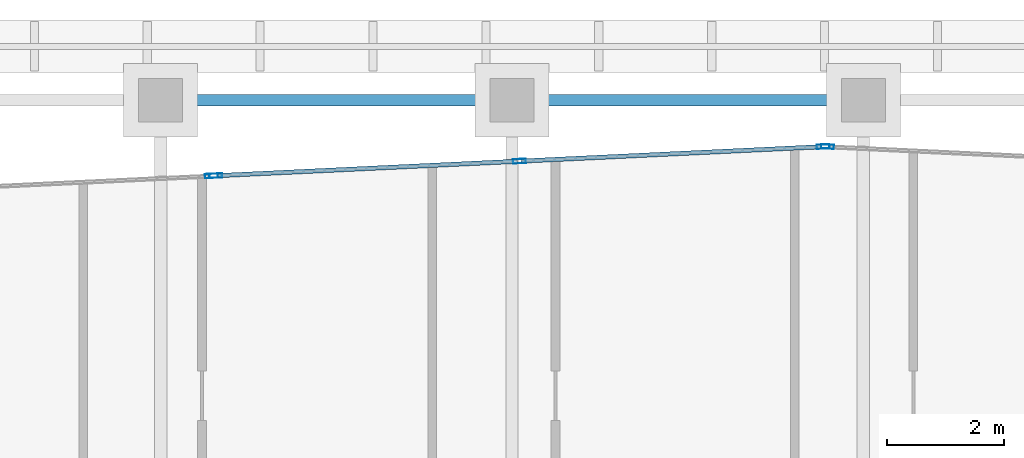
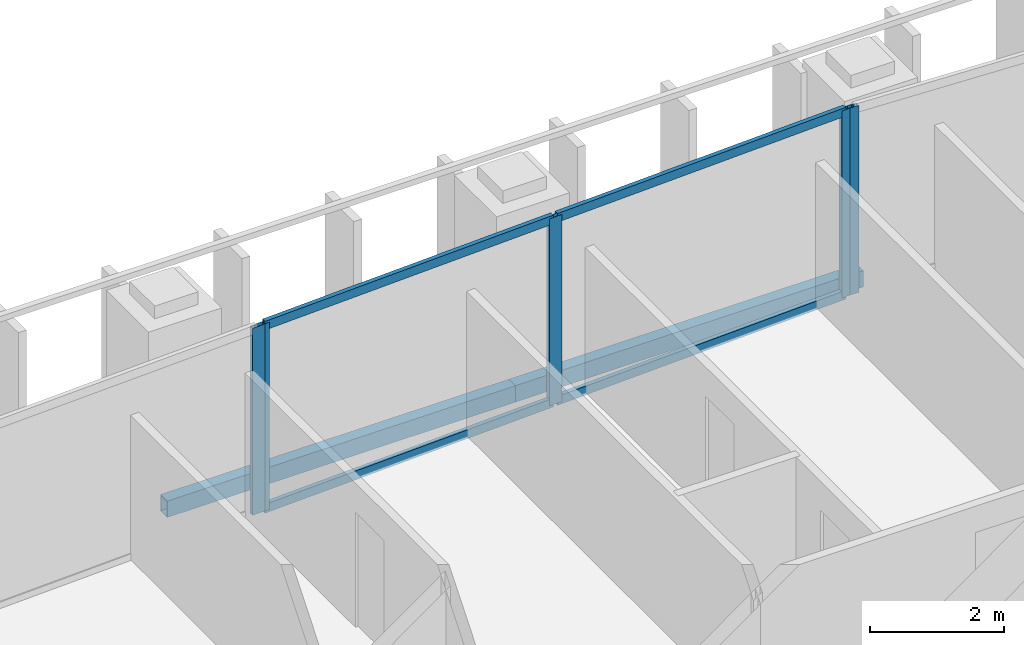
# One storey, part 16 of 32: 9 members, 2 beams, 3 elements without a shape of their own.
"""IFC4 building model written with IfcOpenShell, lengths in metres."""

from ifc_helpers import new_model, si_unit, direction, frame, origin, origin_2d, place, context, subcontext, project, spatial, hollow_rectangle, extrude, material, layer, layer_set, material_profile, profile_set, type_object, element, aggregate, save


model = new_model("IFC4")

# Units and contexts
model_context = context("Model", 3, precision=1e-05, world=origin(), true_north=direction((0.0, 1.0)))
body_context = subcontext(model_context, "Body", "Model", "MODEL_VIEW")
ifc_project = project(units=[si_unit("LENGTHUNIT", "METRE"), si_unit("AREAUNIT", "SQUARE_METRE"), si_unit("VOLUMEUNIT", "CUBIC_METRE"), si_unit("PLANEANGLEUNIT", "RADIAN"), si_unit("MASSUNIT", "GRAM", prefix="KILO")], contexts=[model_context])

# Site, building, storey
site_placement = place(None, origin())
site = spatial("IfcSite", under=ifc_project, at=site_placement, CompositionType="ELEMENT")
building_placement = place(site_placement, origin())
building = spatial("IfcBuilding", under=site, at=building_placement, Name="Tanjung Sevakor Pilgrim Tower", CompositionType="ELEMENT")
storey_placement = place(building_placement, frame((0.0, 0.0, 211.860107421875)))
storey = spatial("IfcBuildingStorey", under=building, at=storey_placement, Name="L59", CompositionType="ELEMENT", Elevation=211.860107421875)

# Beams
ifc_material_1 = material(Name="Steel S355J2", Category="steel")
ifc_material_profile_1 = material_profile(ifc_material_1, hollow_rectangle(XDim=0.199951171875, YDim=0.300048828125, WallThickness=0.012451171875, at=origin_2d()))
ifc_profile_set_1 = profile_set([ifc_material_profile_1], Name="Steel S355J2")
beam_type = type_object("IfcBeamType", Name="BM-B-SP3-RHS_300x200x12.5", PredefinedType="SPANDREL", material=ifc_profile_set_1)
for number, where, z_axis, x_axis, name in (
    (1, (72.0, 53.949951171875, -0.3701171875), (1.0, 0.0, 0.0), (0.0, 1.0, 0.0), "L59 Spandrel MAIN N-12"),
    (2, (78.0, 53.949951171875, -0.3701171875), (1.0, 0.0, 0.0), (0.0, 1.0, 0.0), "L59 Spandrel MAIN N-14"),
):
    element("IfcBeam", number, at=place(storey_placement, frame(where, z_axis=z_axis, x_axis=x_axis)), inside=storey, type_object=beam_type, Name=name, PredefinedType="SPANDREL", context=body_context, shape_type="SweptSolid", body=[
        extrude(hollow_rectangle(XDim=0.199951171875, YDim=0.300048828125, WallThickness=0.012451171875, at=origin_2d()), origin(), (0.0, 0.0, 1.0), 6.0),
    ])

# Curtain wall, member
ifc_material_2 = material(Name="Aluminium 6063-T6 and Low-E Glass", Category="aluminium")
ifc_layer = layer(ifc_material_2, 0.199951171875)
ifc_layer_set = layer_set([ifc_layer], Name="CW-SYS-PRAY")
curtain_wall_type = type_object("IfcCurtainWallType", Name="CW-SYS-PRAY", PredefinedType="NOTDEFINED", material=ifc_layer_set)
curtain_wall_1_placement = place(storey_placement, origin())
curtain_wall_1 = element("IfcCurtainWall", 3, at=curtain_wall_1_placement, inside=storey, type_object=curtain_wall_type, Name="L59 Curtain Wall CW-PRY-L59-20", PredefinedType="NOTDEFINED")
ifc_material_3 = material(Name="Aluminium 6063-T6", Category="aluminium")
ifc_material_profile_2 = material_profile(ifc_material_3, hollow_rectangle(XDim=0.074951171875, YDim=0.219970703125, WallThickness=0.0048828125, at=origin_2d()))
ifc_profile_set_2 = profile_set([ifc_material_profile_2], Name="Aluminium 6063-T6")
member_type_1 = type_object("IfcMemberType", Name="TYPE-CWM-2", PredefinedType="MULLION", material=ifc_profile_set_2)
member_1_placement = place(storey_placement, frame((83.387451171875, 53.158203125, 0.0), z_axis=(0.0, 0.0, 1.0), x_axis=(-0.047795692163, -0.998857132833, 0.0)))
member_1 = element("IfcMember", 4, at=member_1_placement, type_object=member_type_1, Name="CW-PRY mullion 3", PredefinedType="MULLION", context=body_context, shape_type="SweptSolid", body=[
    extrude(hollow_rectangle(XDim=0.074951171875, YDim=0.219970703125, WallThickness=0.0048828125, at=origin_2d()), origin(), (0.0, 0.0, 1.0), 3.409912109375),
])
aggregate(curtain_wall_1, [member_1])

# Curtain wall, members
curtain_wall_2_placement = place(storey_placement, origin())
curtain_wall_2 = element("IfcCurtainWall", 5, at=curtain_wall_2_placement, inside=storey, type_object=curtain_wall_type, Name="L59 Curtain Wall CW-PRY-L59-21", PredefinedType="NOTDEFINED")
member_2_placement = place(storey_placement, frame((83.3125, 53.158203125, 0.0), z_axis=(0.0, 0.0, 1.0), x_axis=(0.047797328387, -0.998857054537, 0.0)))
member_2 = element("IfcMember", 6, at=member_2_placement, type_object=member_type_1, Name="CW-PRY mullion 1", PredefinedType="MULLION", context=body_context, shape_type="SweptSolid", body=[
    extrude(hollow_rectangle(XDim=0.074951171875, YDim=0.219970703125, WallThickness=0.0048828125, at=origin_2d()), origin(), (0.0, 0.0, 1.0), 3.409912109375),
])
member_3_placement = place(storey_placement, frame((78.127685546875, 52.909912109375, 0.0), z_axis=(0.0, 0.0, 1.0), x_axis=(0.047797328387, -0.998857054537, 0.0)))
member_3 = element("IfcMember", 7, at=member_3_placement, type_object=member_type_1, Name="CW-PRY mullion 2", PredefinedType="MULLION", context=body_context, shape_type="SweptSolid", body=[
    extrude(hollow_rectangle(XDim=0.074951171875, YDim=0.219970703125, WallThickness=0.0048828125, at=origin_2d()), origin(), (0.0, 0.0, 1.0), 3.409912109375),
])
member_4_placement = place(storey_placement, frame((72.94287109375, 52.661865234375, 0.0), z_axis=(0.0, 0.0, 1.0), x_axis=(0.047797328387, -0.998857054537, 0.0)))
member_4 = element("IfcMember", 8, at=member_4_placement, type_object=member_type_1, Name="CW-PRY mullion 3", PredefinedType="MULLION", context=body_context, shape_type="SweptSolid", body=[
    extrude(hollow_rectangle(XDim=0.074951171875, YDim=0.219970703125, WallThickness=0.0048828125, at=origin_2d()), origin(), (0.0, 0.0, 1.0), 3.409912109375),
])

# Curtain wall, member
curtain_wall_3_placement = place(storey_placement, origin())
curtain_wall_3 = element("IfcCurtainWall", 9, at=curtain_wall_3_placement, inside=storey, type_object=curtain_wall_type, Name="L59 Curtain Wall CW-PRY-L59-22", PredefinedType="NOTDEFINED")
member_5_placement = place(storey_placement, frame((72.867919921875, 52.658203125, 0.0), z_axis=(0.0, 0.0, 1.0), x_axis=(0.047787107337, -0.998857543583, 0.0)))
member_5 = element("IfcMember", 10, at=member_5_placement, type_object=member_type_1, Name="CW-PRY mullion 1", PredefinedType="MULLION", context=body_context, shape_type="SweptSolid", body=[
    extrude(hollow_rectangle(XDim=0.074951171875, YDim=0.219970703125, WallThickness=0.0048828125, at=origin_2d()), origin(), (0.0, 0.0, 1.0), 3.409912109375),
])
aggregate(curtain_wall_3, [member_5])

# Member
ifc_material_4 = material(Name="Aluminium 6063-T6", Category="aluminium")
ifc_material_profile_3 = material_profile(ifc_material_4, hollow_rectangle(XDim=0.074951171875, YDim=0.159912109375, WallThickness=0.00439453125, at=origin_2d()))
ifc_profile_set_3 = profile_set([ifc_material_profile_3], Name="Aluminium 6063-T6")
member_type_2 = type_object("IfcMemberType", Name="TYPE-CWT-2", PredefinedType="USERDEFINED", material=ifc_profile_set_3)
member_6_placement = place(storey_placement, frame((83.275146484375, 53.15625, 0.037353515625), z_axis=(-0.998858399837, -0.047769206356, 0.0), x_axis=(0.047769206356, -0.998858399837, 0.0)))
member_6 = element("IfcMember", 11, at=member_6_placement, type_object=member_type_2, Name="CW-PRY transom 1.1", ObjectType="TRANSOM", PredefinedType="USERDEFINED", context=body_context, shape_type="SweptSolid", body=[
    extrude(hollow_rectangle(XDim=0.074951171875, YDim=0.159912109375, WallThickness=0.00439453125, at=origin_2d()), origin(), (0.0, 0.0, 1.0), 5.115966796875),
])

member_7_placement = place(storey_placement, frame((83.275146484375, 53.15625, 3.372314453125), z_axis=(-0.998858399837, -0.047769206356, 0.0), x_axis=(0.047769206356, -0.998858399837, 0.0)))
member_7 = element("IfcMember", 12, at=member_7_placement, type_object=member_type_2, Name="CW-PRY transom 1.2", ObjectType="TRANSOM", PredefinedType="USERDEFINED", context=body_context, shape_type="SweptSolid", body=[
    extrude(hollow_rectangle(XDim=0.074951171875, YDim=0.159912109375, WallThickness=0.00439453125, at=origin_2d()), origin(), (0.0, 0.0, 1.0), 5.115966796875),
])

member_8_placement = place(storey_placement, frame((78.090087890625, 52.908203125, 0.037353515625), z_axis=(-0.998856012572, -0.047819098165, 0.0), x_axis=(0.047819098165, -0.998856012572, 0.0)))
member_8 = element("IfcMember", 13, at=member_8_placement, type_object=member_type_2, Name="CW-PRY transom 2.1", ObjectType="TRANSOM", PredefinedType="USERDEFINED", context=body_context, shape_type="SweptSolid", body=[
    extrude(hollow_rectangle(XDim=0.074951171875, YDim=0.159912109375, WallThickness=0.00439453125, at=origin_2d()), origin(), (0.0, 0.0, 1.0), 5.11572265625),
])

member_9_placement = place(storey_placement, frame((78.090087890625, 52.908203125, 3.372314453125), z_axis=(-0.998856012572, -0.047819098165, 0.0), x_axis=(0.047819098165, -0.998856012572, 0.0)))
member_9 = element("IfcMember", 14, at=member_9_placement, type_object=member_type_2, Name="CW-PRY transom 2.2", ObjectType="TRANSOM", PredefinedType="USERDEFINED", context=body_context, shape_type="SweptSolid", body=[
    extrude(hollow_rectangle(XDim=0.074951171875, YDim=0.159912109375, WallThickness=0.00439453125, at=origin_2d()), origin(), (0.0, 0.0, 1.0), 5.11572265625),
])

aggregate(curtain_wall_2, [member_2, member_3, member_4, member_6, member_7, member_8, member_9])

save(model, "model.ifc")
